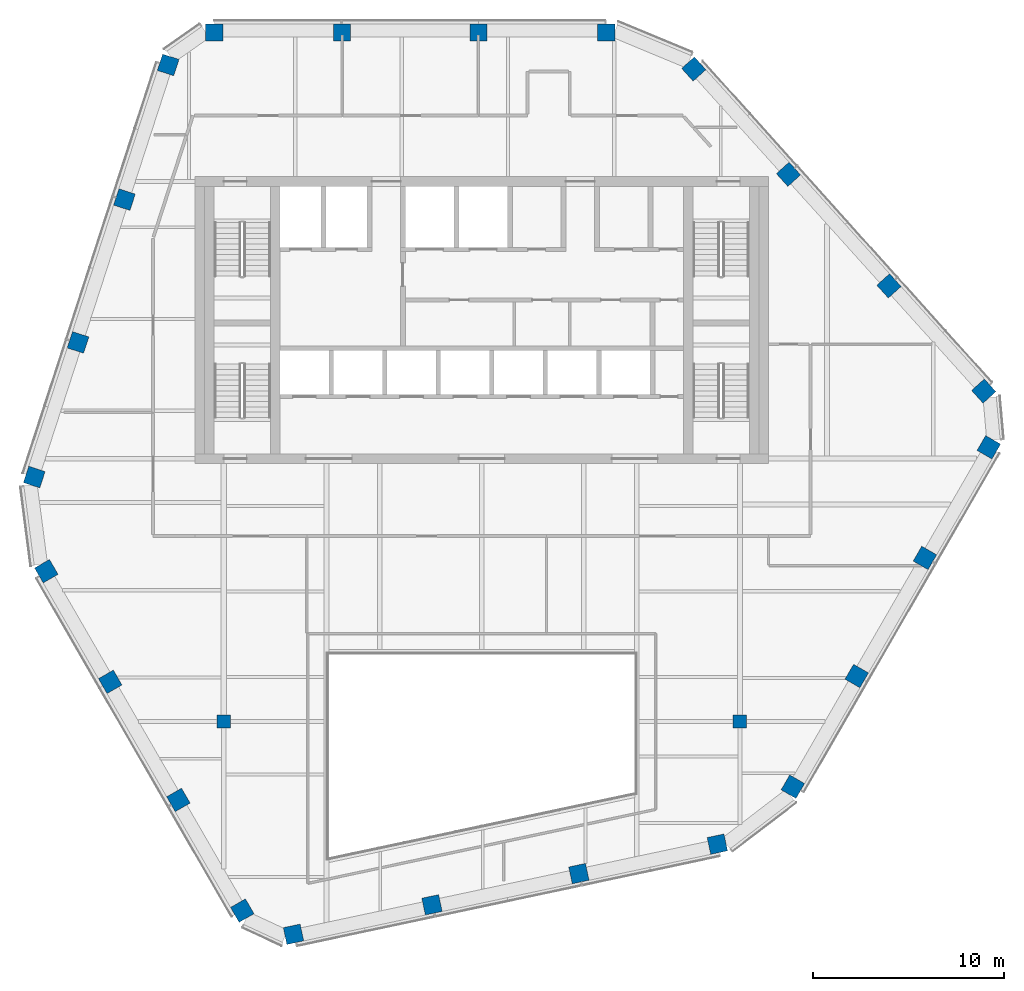
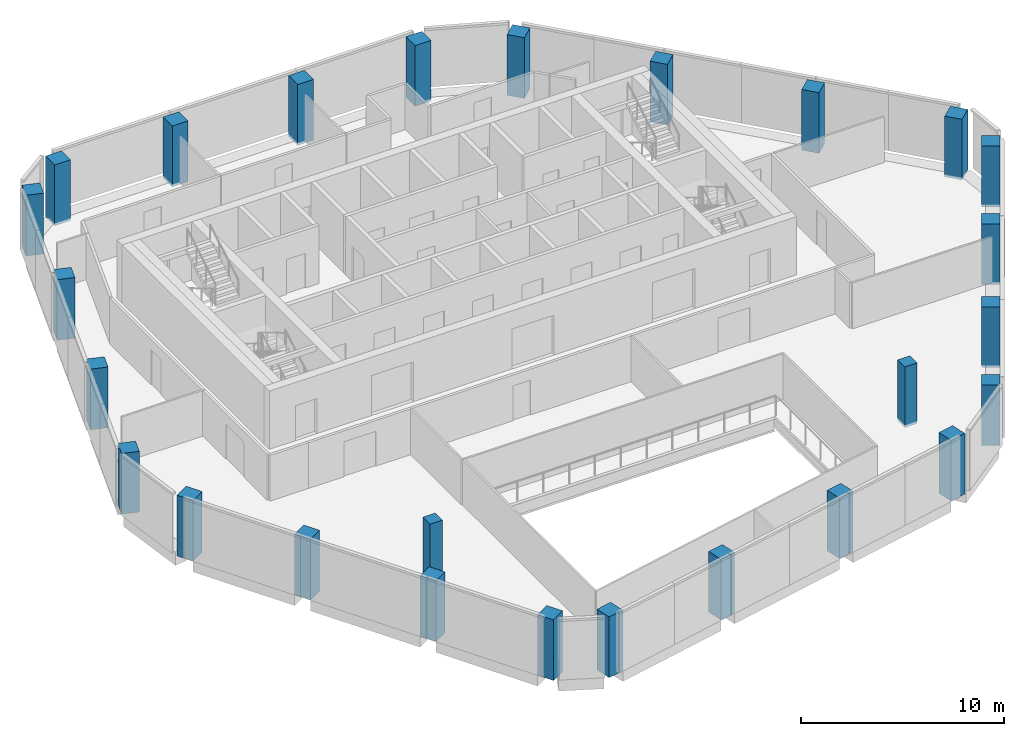
# One storey, part 1 of 15: 26 columns.
"""IFC4 building model written with IfcOpenShell, lengths in metres."""

import ifcopenshell
import ifcopenshell.guid

model = None  # the IFC model being written
_history = None  # IfcOwnerHistory: only IFC2X3 demands one
_inside = {}  # id of a spatial element -> (the spatial element, [elements in it])
_under = {}  # id of a project, library or spatial element -> (it, [spatial elements below it])
_declared = {}  # id of a project -> (the project, [libraries it declares])
_typed = {}  # id of a type object -> (the type object, [elements of that type])
_made_of = {}  # id of a material, layer set ... -> (it, [elements and type objects made of it])


def new_model(schema):
    """Start an empty IFC model of exactly this schema.

    Asked for "IFC4X3", IfcOpenShell would pick the latest addendum, in which some entities
    have other attributes; the version numbers below select the first issue.
    IFC2X3 requires an IfcOwnerHistory on every rooted entity: one is made here for all.
    """
    global model, _history
    if schema == "IFC4X3":
        model = ifcopenshell.file(schema_version=(4, 3, 0, 0))
    else:
        model = ifcopenshell.file(schema=schema)
    _inside.clear()
    _under.clear()
    _declared.clear()
    _typed.clear()
    _made_of.clear()
    _history = None
    if model.schema == "IFC2X3":
        org = make("IfcOrganization", Name="unknown")
        user = make(
            "IfcPersonAndOrganization",
            ThePerson=make("IfcPerson", FamilyName="unknown"),
            TheOrganization=org,
        )
        app = make(
            "IfcApplication",
            ApplicationDeveloper=org,
            Version="unknown",
            ApplicationFullName="unknown",
            ApplicationIdentifier="unknown",
        )
        _history = make(
            "IfcOwnerHistory",
            OwningUser=user,
            OwningApplication=app,
            ChangeAction="ADDED",
            CreationDate=0,
        )
    return model


def make(cls, **values):
    """One entity of the class cls with the attributes given. An attribute that is None is left unset."""
    return model.create_entity(
        cls, **{name: value for name, value in values.items() if value is not None}
    )


def rooted(cls, **values):
    """An entity with a GlobalId (a new one), such as an element, a storey or a relation."""
    return make(cls, GlobalId=ifcopenshell.guid.new(), OwnerHistory=_history, **values)


def si_unit(unit_type, name, prefix=None):
    """IfcSIUnit, for example si_unit("LENGTHUNIT", "METRE", prefix="MILLI")."""
    return make("IfcSIUnit", UnitType=unit_type, Prefix=prefix, Name=name)


def assignment(units):
    """IfcUnitAssignment: the units of a project."""
    return None if units is None else make("IfcUnitAssignment", Units=units)


def point(xyz):
    """IfcCartesianPoint."""
    return None if xyz is None else make("IfcCartesianPoint", Coordinates=xyz)


def direction(xyz):
    """IfcDirection."""
    return None if xyz is None else make("IfcDirection", DirectionRatios=xyz)


def frame(location, z_axis=None, x_axis=None):
    """IfcAxis2Placement3D, a coordinate frame: its origin and axes. An axis left out is left unset."""
    return make(
        "IfcAxis2Placement3D",
        Location=point(location),
        Axis=direction(z_axis),
        RefDirection=direction(x_axis),
    )


def frame_2d(location, x_axis=None):
    """IfcAxis2Placement2D, a coordinate frame in the plane: its origin and x axis."""
    return make(
        "IfcAxis2Placement2D", Location=point(location), RefDirection=direction(x_axis)
    )


def origin():
    """The frame at (0, 0, 0) with its axes left unset."""
    return frame((0.0, 0.0, 0.0))


def origin_2d():
    """The frame at (0, 0) in the plane with its x axis left unset."""
    return frame_2d((0.0, 0.0))


def place(relative_to, where):
    """IfcLocalPlacement: puts the frame where relative to a parent placement (None: the world)."""
    return make(
        "IfcLocalPlacement", PlacementRelTo=relative_to, RelativePlacement=where
    )


def context(
    kind, dimensions, precision=None, world=None, true_north=None, identifier=None
):
    """IfcGeometricRepresentationContext, for example the 3D "Model" context."""
    return make(
        "IfcGeometricRepresentationContext",
        ContextIdentifier=identifier,
        ContextType=kind,
        CoordinateSpaceDimension=dimensions,
        Precision=precision,
        WorldCoordinateSystem=world,
        TrueNorth=true_north,
    )


def subcontext(parent, identifier, kind, view, scale=None):
    """IfcGeometricRepresentationSubContext, for example "Body" below "Model"."""
    return make(
        "IfcGeometricRepresentationSubContext",
        ContextIdentifier=identifier,
        ContextType=kind,
        ParentContext=parent,
        TargetScale=scale,
        TargetView=view,
    )


def project(units=None, contexts=None):
    """IfcProject with its units and contexts."""
    return rooted(
        "IfcProject",
        Name="project",
        RepresentationContexts=contexts,
        UnitsInContext=assignment(units),
    )


def spatial(cls, under=None, at=None, **own):
    """A site, building, storey or space (cls), placed at a placement, below another one or the project."""
    s = rooted(cls, ObjectPlacement=at, **own)
    if under is not None:
        _under.setdefault(under.id(), (under, []))[1].append(s)
    return s


def profile(cls, at=None, kind="AREA", **sizes):
    """A parametric profile (cls). Its sizes go by their IFC names, for example OverallWidth=200.0."""
    return make(cls, ProfileType=kind, Position=at, **sizes)


def rectangle(**sizes):
    """IfcRectangleProfileDef."""
    return profile("IfcRectangleProfileDef", **sizes)


def extrude(swept, where, along, depth):
    """IfcExtrudedAreaSolid: the profile swept, set in the frame where, extruded along a direction by depth."""
    return make(
        "IfcExtrudedAreaSolid",
        SweptArea=swept,
        Position=where,
        ExtrudedDirection=direction(along),
        Depth=depth,
    )


def shape(context_of_items, identifier, shape_type, items):
    """IfcShapeRepresentation: the items that make up one representation, for example the "Body"."""
    return make(
        "IfcShapeRepresentation",
        ContextOfItems=context_of_items,
        RepresentationIdentifier=identifier,
        RepresentationType=shape_type,
        Items=items,
    )


def material(Name=None, Category=None):
    """IfcMaterial."""
    return make("IfcMaterial", Name=Name, Category=Category)


def material_profile(
    of_material, cross_section, Name=None, Category=None, Priority=None
):
    """IfcMaterialProfile: a cross section and its material."""
    return make(
        "IfcMaterialProfile",
        Name=Name,
        Material=of_material,
        Profile=cross_section,
        Priority=Priority,
        Category=Category,
    )


def profile_set(profiles, Name=None, composite=None):
    """IfcMaterialProfileSet."""
    return make(
        "IfcMaterialProfileSet",
        Name=Name,
        MaterialProfiles=profiles,
        CompositeProfile=composite,
    )


def made_of(thing, what):
    """Note that an element or type object is made of a material, layer set ...; save() writes the relation."""
    if what is not None:
        _made_of.setdefault(what.id(), (what, []))[1].append(thing)
    return thing


def type_object(cls, material=None, **own):
    """A type object (cls), such as IfcWallType, which elements share."""
    return made_of(rooted(cls, **own), material)


def element(
    cls,
    number,
    at=None,
    inside=None,
    cuts=None,
    type_object=None,
    material=None,
    context=None,
    identifier="Body",
    shape_type=None,
    held_by="IfcProductDefinitionShape",
    body=None,
    shapes=None,
    **own,
):
    """One element of the class cls, such as IfcWall. Its Tag is "e" and its number.

    at: its placement. inside: the storey or other place that contains it. cuts: it is an
    opening in that element (IfcRelVoidsElement). A single representation is given by context,
    identifier, shape_type and body (its items); several are given by shapes. held_by: the class
    of the entity that holds the representations. save() writes the other relations.
    """
    e = rooted(cls, Tag="e%d" % number, ObjectPlacement=at, **own)
    if body is not None:
        shapes = [shape(context, identifier, shape_type, body)]
    if shapes is not None:
        e.Representation = make(held_by, Representations=shapes)
    if inside is not None:
        _inside.setdefault(inside.id(), (inside, []))[1].append(e)
    if cuts is not None:
        rooted(
            "IfcRelVoidsElement", RelatingBuildingElement=cuts, RelatedOpeningElement=e
        )
    if type_object is not None:
        _typed.setdefault(type_object.id(), (type_object, []))[1].append(e)
    return made_of(e, material)


def aggregate(whole, parts):
    """IfcRelAggregates: a whole, such as a stair, and the parts it consists of."""
    return rooted("IfcRelAggregates", RelatingObject=whole, RelatedObjects=parts)


def save(model, path):
    """Write the relations noted so far, then the file.

    IfcRelAggregates (storeys below a building ...), IfcRelContainedInSpatialStructure (elements
    in a storey), IfcRelDefinesByType, IfcRelAssociatesMaterial and IfcRelDeclares: one each for
    every whole, place, type object, material and project.
    """
    for whole, parts in _under.values():
        aggregate(whole, parts)
    for where, things in _inside.values():
        rooted(
            "IfcRelContainedInSpatialStructure",
            RelatedElements=things,
            RelatingStructure=where,
        )
    for kind, things in _typed.values():
        rooted("IfcRelDefinesByType", RelatedObjects=things, RelatingType=kind)
    for what, things in _made_of.values():
        rooted("IfcRelAssociatesMaterial", RelatedObjects=things, RelatingMaterial=what)
    for by, libraries in _declared.values():
        rooted("IfcRelDeclares", RelatingContext=by, RelatedDefinitions=libraries)
    model.write(path)


model = new_model("IFC4")

# Units and contexts
model_context = context("Model", 3, precision=1e-05, world=origin(), true_north=direction((0.0, 1.0)))
body_context = subcontext(model_context, "Body", "Model", "MODEL_VIEW")
ifc_project = project(units=[si_unit("LENGTHUNIT", "METRE"), si_unit("AREAUNIT", "SQUARE_METRE"), si_unit("VOLUMEUNIT", "CUBIC_METRE"), si_unit("PLANEANGLEUNIT", "RADIAN"), si_unit("MASSUNIT", "GRAM", prefix="KILO")], contexts=[model_context])

# Site, building, storey
site_placement = place(None, origin())
site = spatial("IfcSite", under=ifc_project, at=site_placement, CompositionType="ELEMENT")
building_placement = place(site_placement, origin())
building = spatial("IfcBuilding", under=site, at=building_placement, Name="Isthmus Gate Tower", CompositionType="ELEMENT")
storey_placement = place(building_placement, frame((0.0, 0.0, 271.89990234375)))
storey = spatial("IfcBuildingStorey", under=building, at=storey_placement, Name="L69", CompositionType="ELEMENT", Elevation=271.89990234375)

# Columns
ifc_material_1 = material(Name="Concrete f'c 50 MPa", Category="concrete")
ifc_material_profile_1 = material_profile(ifc_material_1, rectangle(XDim=0.699951171875, YDim=0.699951171875, at=origin_2d()), Name="RC 700X700")
ifc_profile_set_1 = profile_set([ifc_material_profile_1], Name="Concrete f'c 50 MPa")
column_type_1 = type_object("IfcColumnType", Name="RC INTERIOR COLUMN 700 X 700", PredefinedType="COLUMN", material=ifc_profile_set_1)
for number, where, z_axis, x_axis, name in (
    (1, (-13.5, -13.5, -0.14990234375), (0.0, 0.0, 1.0), (1.0, 0.0, 0.0), "str-icol-L69-ICB2"),
    (2, (13.5, -13.5, -0.14990234375), (0.0, 0.0, 1.0), (1.0, 0.0, 0.0), "str-icol-L69-ICD2"),
):
    element("IfcColumn", number, at=place(storey_placement, frame(where, z_axis=z_axis, x_axis=x_axis)), inside=storey, type_object=column_type_1, Name=name, PredefinedType="COLUMN", context=body_context, shape_type="SweptSolid", body=[
        extrude(rectangle(XDim=0.699951171875, YDim=0.699951171875, at=origin_2d()), origin(), (0.0, 0.0, 1.0), 3.64990234375),
    ])
ifc_material_2 = material(Name="Concrete f'c 50 MPa", Category="concrete")
ifc_material_profile_2 = material_profile(ifc_material_2, rectangle(XDim=0.89990234375, YDim=0.89990234375, at=origin_2d()), Name="RC 900X900")
ifc_profile_set_2 = profile_set([ifc_material_profile_2], Name="Concrete f'c 50 MPa")
column_type_2 = type_object("IfcColumnType", Name="RC TUBE COLUMN 900 X 900", PredefinedType="COLUMN", material=ifc_profile_set_2)
for number, where, z_axis, x_axis, name in (
    (3, (6.509521484375, 22.550048828125, -0.14990234375), (0.0, 0.0, 1.0), (-1.0, 0.0, 0.0), "str-tcol-L69-T4N0"),
    (4, (-0.175048828125, 22.550048828125, -0.14990234375), (0.0, 0.0, 1.0), (-1.0, 0.0, 0.0), "str-tcol-L69-T4N1"),
    (5, (-7.3095703125, 22.550048828125, -0.14990234375), (0.0, 0.0, 1.0), (-1.0, 0.0, 0.0), "str-tcol-L69-T4N2"),
    (6, (-13.994140625, 22.550048828125, -0.14990234375), (0.0, 0.0, 1.0), (-1.0, 0.0, 0.0), "str-tcol-L69-T4N3"),
    (7, (-16.408203125, 20.847900390625, -0.14990234375), (0.0, 0.0, 1.0), (-0.309016994375, -0.951056516295, 0.0), "str-tcol-L69-T4NW0"),
    (8, (-18.697021484375, 13.8037109375, -0.14990234375), (0.0, 0.0, 1.0), (-0.309016994375, -0.951056516295, 0.0), "str-tcol-L69-T4NW1"),
    (9, (-21.124755859375, 6.331298828125, -0.14990234375), (0.0, 0.0, 1.0), (-0.309016994375, -0.951056516295, 0.0), "str-tcol-L69-T4NW2"),
    (10, (-23.41357421875, -0.712890625, -0.14990234375), (0.0, 0.0, 1.0), (-0.309016994375, -0.951056516295, 0.0), "str-tcol-L69-T4NW3"),
    (11, (-22.78369140625, -5.6376953125, -0.14990234375), (0.0, 0.0, 1.0), (0.5, -0.866025403784, 0.0), "str-tcol-L69-T4SW0"),
    (12, (-19.44140625, -11.426513671875, -0.14990234375), (0.0, 0.0, 1.0), (0.5, -0.866025403784, 0.0), "str-tcol-L69-T4SW1"),
    (13, (-15.8740234375, -17.605224609375, -0.14990234375), (0.0, 0.0, 1.0), (0.5, -0.866025403784, 0.0), "str-tcol-L69-T4SW2"),
    (14, (-12.53173828125, -23.394287109375, -0.14990234375), (0.0, 0.0, 1.0), (0.5, -0.866025403784, 0.0), "str-tcol-L69-T4SW3"),
    (15, (-9.850830078125, -24.6337890625, -0.14990234375), (0.0, 0.0, 1.0), (0.978147600734, 0.207911690818, 0.0), "str-tcol-L69-T4S0"),
    (16, (-2.605712890625, -23.09375, -0.14990234375), (0.0, 0.0, 1.0), (0.978147600734, 0.207911690818, 0.0), "str-tcol-L69-T4S1"),
    (17, (5.079345703125, -21.460205078125, -0.14990234375), (0.0, 0.0, 1.0), (0.978147600734, 0.207911690818, 0.0), "str-tcol-L69-T4S2"),
    (18, (12.32421875, -19.92041015625, -0.14990234375), (0.0, 0.0, 1.0), (0.978147600734, 0.207911690818, 0.0), "str-tcol-L69-T4S3"),
    (19, (16.274169921875, -16.912353515625, -0.14990234375), (0.0, 0.0, 1.0), (0.5, 0.866025403784, 0.0), "str-tcol-L69-T4SE0"),
    (20, (19.616455078125, -11.123291015625, -0.14990234375), (0.0, 0.0, 1.0), (0.5, 0.866025403784, 0.0), "str-tcol-L69-T4SE1"),
    (21, (23.18359375, -4.944580078125, -0.14990234375), (0.0, 0.0, 1.0), (0.5, 0.866025403784, 0.0), "str-tcol-L69-T4SE2"),
    (22, (26.52587890625, 0.84423828125, -0.14990234375), (0.0, 0.0, 1.0), (0.5, 0.866025403784, 0.0), "str-tcol-L69-T4SE3"),
    (23, (26.2587890625, 3.785888671875, -0.14990234375), (0.0, 0.0, 1.0), (-0.669130606359, 0.743144825477, 0.0), "str-tcol-L69-T4NE0"),
    (24, (21.302734375, 9.290283203125, -0.14990234375), (0.0, 0.0, 1.0), (-0.669130606359, 0.743144825477, 0.0), "str-tcol-L69-T4NE1"),
    (25, (16.04541015625, 15.12890625, -0.14990234375), (0.0, 0.0, 1.0), (-0.669130606359, 0.743144825477, 0.0), "str-tcol-L69-T4NE2"),
    (26, (11.08935546875, 20.63330078125, -0.14990234375), (0.0, 0.0, 1.0), (-0.669130606359, 0.743144825477, 0.0), "str-tcol-L69-T4NE3"),
):
    element("IfcColumn", number, at=place(storey_placement, frame(where, z_axis=z_axis, x_axis=x_axis)), inside=storey, type_object=column_type_2, Name=name, PredefinedType="COLUMN", context=body_context, shape_type="SweptSolid", body=[
        extrude(rectangle(XDim=0.89990234375, YDim=0.89990234375, at=origin_2d()), origin(), (0.0, 0.0, 1.0), 3.64990234375),
    ])

save(model, "model.ifc")
